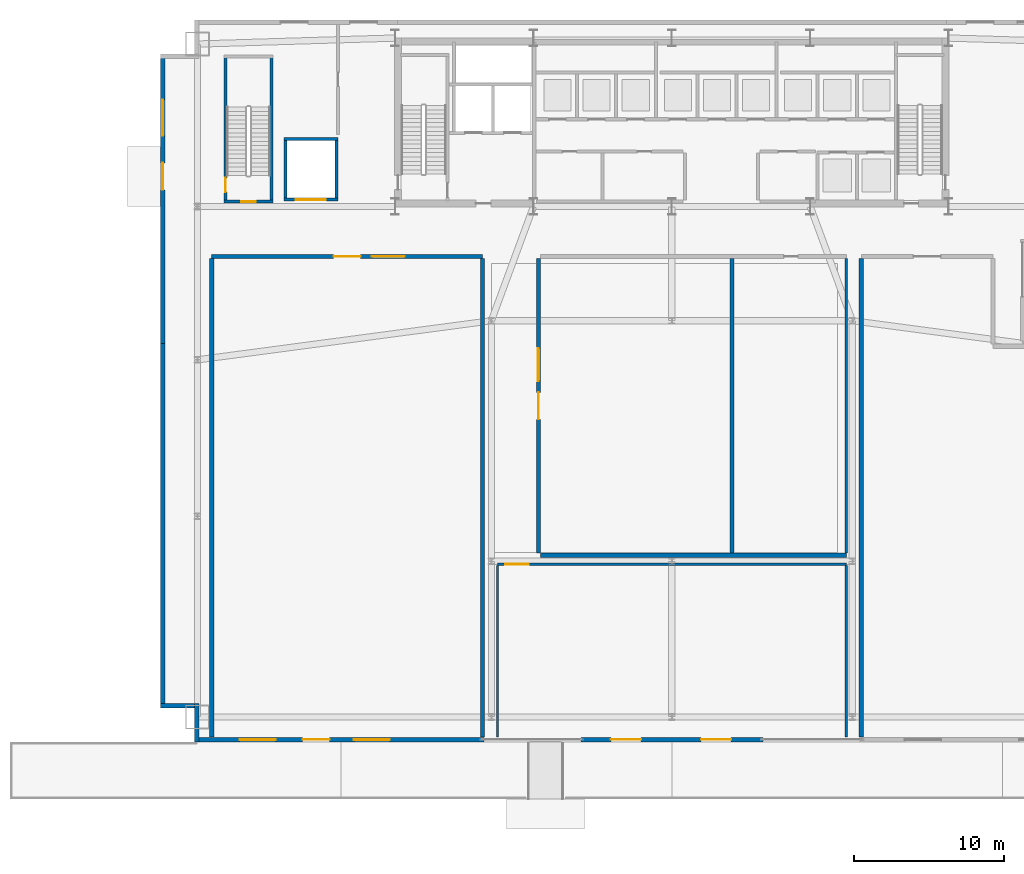
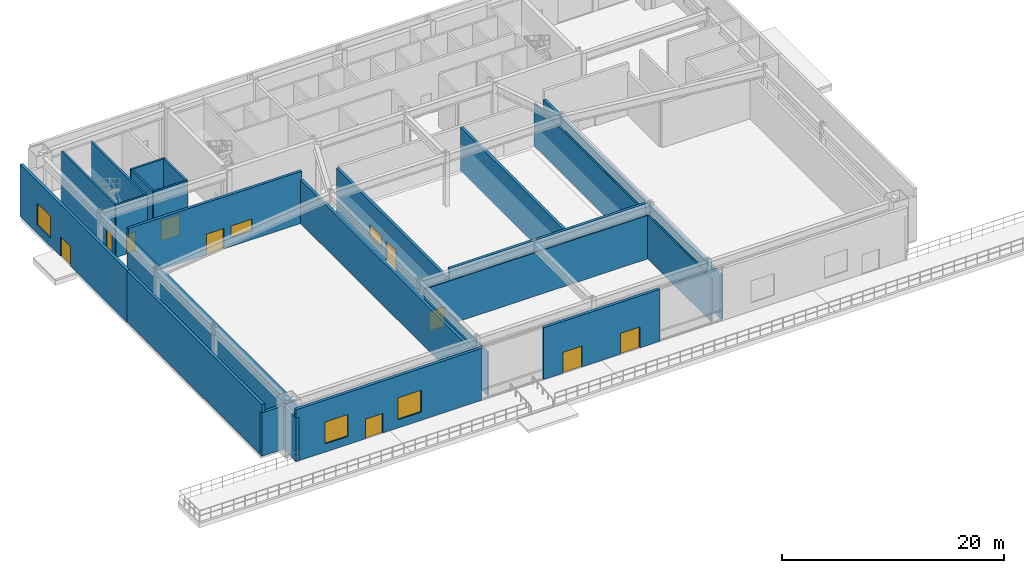
# One storey, part 9 of 17: 24 walls, 10 doors, 5 windows, 15 openings.
"""IFC4 building model written with IfcOpenShell, lengths in metres."""

from ifc_helpers import new_model, si_unit, direction, frame, frame_2d, origin, place, context, subcontext, project, spatial, rectangle, extrude, source, transform, mapped, material, layer, layer_set, type_object, type_shapes, element, fill, save


model = new_model("IFC4")

# Units and contexts
model_context = context("Model", 3, precision=1e-05, world=origin(), true_north=direction((0.0, 1.0)))
body_context = subcontext(model_context, "Body", "Model", "MODEL_VIEW")
ifc_project = project(units=[si_unit("LENGTHUNIT", "METRE"), si_unit("AREAUNIT", "SQUARE_METRE"), si_unit("VOLUMEUNIT", "CUBIC_METRE"), si_unit("PLANEANGLEUNIT", "RADIAN"), si_unit("MASSUNIT", "GRAM", prefix="KILO")], contexts=[model_context])

# Site, building, storey
site_placement = place(None, origin())
site = spatial("IfcSite", under=ifc_project, at=site_placement, CompositionType="ELEMENT")
building_placement = place(site_placement, origin())
building = spatial("IfcBuilding", under=site, at=building_placement, Name="Varnel Quay Broadcast Tower", CompositionType="ELEMENT")
storey_placement = place(building_placement, origin())
storey = spatial("IfcBuildingStorey", under=building, at=storey_placement, Name="L00", CompositionType="ELEMENT", Elevation=0.0)

# Wall, opening, door
ifc_material_1 = material(Name="Concrete CSA A23.3 C50/60", Category="concrete")
ifc_layer_1 = layer(ifc_material_1, 0.199951171875, Name="Concrete CSA A23.3 C50/60")
ifc_layer_set_1 = layer_set([ifc_layer_1], Name="Concrete CSA A23.3 C50/60")
wall_type_1 = type_object("IfcWallType", Name="Wall_CoreShaftShear200", PredefinedType="SHEAR", material=ifc_layer_set_1)
wall_1_placement = place(storey_placement, frame((4.320068359375, 36.0, 0.0), z_axis=(0.0, 0.0, 1.0), x_axis=(0.0, 1.0, 0.0)))
wall_1 = element("IfcWall", 1, at=wall_1_placement, inside=storey, type_object=wall_type_1, Name="L00 Podium Stair 3 W Structural Wall", PredefinedType="SHEAR", context=body_context, shape_type="SweptSolid", body=[
    extrude(rectangle(XDim=9.60009765625, YDim=0.199951171875, at=frame_2d((4.800048828125, 0.0))), origin(), (0.0, 0.0, 1.0), 5.719970703125),
])
opening_1_placement = place(wall_1_placement, frame((0.550048828125, 0.0, 0.0)))
opening_1 = element("IfcOpeningElement", 2, at=opening_1_placement, cuts=wall_1, Name="Opening D-L00-S3X", PredefinedType="OPENING", context=body_context, shape_type="SweptSolid", body=[
    extrude(rectangle(XDim=0.949951171875, YDim=2.10009765625, at=frame_2d((0.47509765625, 1.050048828125))), frame((0.0, 0.10986328125, 0.0), z_axis=(0.0, -1.0, 0.0), x_axis=(1.0, 0.0, 0.0)), (0.0, 0.0, 1.0), 0.219970703125),
])
ifc_material_2 = material(Name="Insulated Fire-Rated Hollow Steel Door", Category="steel")
door_type_1 = type_object("IfcDoorType", Name="Door_FireStair950", OperationType="NOTDEFINED", PredefinedType="DOOR", material=ifc_material_2)
shared_shape_1 = source(origin(), body_context, "Body", "SweptSolid", [
    extrude(rectangle(XDim=0.949951171875, YDim=2.10009765625, at=frame_2d((0.47509765625, 1.050048828125))), frame((0.0, 0.02490234375, 0.0), z_axis=(0.0, -1.0, 0.0), x_axis=(1.0, 0.0, 0.0)), (0.0, 0.0, 1.0), 0.050048828125),
])
type_shapes(door_type_1, [shared_shape_1])
door_1_placement = place(opening_1_placement, origin())
door_1 = element("IfcDoor", 3, at=door_1_placement, inside=storey, type_object=door_type_1, Name="L00 Stair 3 Protected Exit Passage Discharge Door", OperationType="SINGLE_SWING_LEFT", OverallHeight=2.10009765625, OverallWidth=0.949951171875, PredefinedType="DOOR", context=body_context, shape_type="MappedRepresentation", body=[
    mapped(shared_shape_1, transform((0.0, 0.0, 0.0), x_axis=(1.0, 0.0, 0.0), y_axis=(0.0, 1.0, 0.0), z_axis=(0.0, 0.0, 1.0), scale=1.0)),
])
fill(opening_1, door_1)

# Wall
wall_2_placement = place(storey_placement, frame((7.3798828125, 36.0, 0.0), z_axis=(0.0, 0.0, 1.0), x_axis=(0.0, 1.0, 0.0)))
element("IfcWall", 4, at=wall_2_placement, inside=storey, type_object=wall_type_1, Name="L00 Podium Stair 3 E Structural Wall", PredefinedType="SHEAR", context=body_context, shape_type="SweptSolid", body=[
    extrude(rectangle(XDim=9.60009765625, YDim=0.199951171875, at=frame_2d((4.800048828125, 0.0))), origin(), (0.0, 0.0, 1.0), 5.719970703125),
])

# Wall, opening, door
wall_3_placement = place(storey_placement, frame((4.219970703125, 35.919921875, 0.0), z_axis=(0.0, 0.0, 1.0), x_axis=(1.0, 0.0, 0.0)))
wall_3 = element("IfcWall", 5, at=wall_3_placement, inside=storey, type_object=wall_type_1, Name="L00 Podium Stair 3 South Structural Wall", PredefinedType="SHEAR", context=body_context, shape_type="SweptSolid", body=[
    extrude(rectangle(XDim=3.260009765625, YDim=0.199951171875, at=frame_2d((1.6298828125, 0.0))), origin(), (0.0, 0.0, 1.0), 5.719970703125),
])
opening_2_placement = place(wall_3_placement, frame((1.14990234375, 0.0, 0.0)))
opening_2 = element("IfcOpeningElement", 6, at=opening_2_placement, cuts=wall_3, Name="Opening D-L00-S3", PredefinedType="OPENING", context=body_context, shape_type="SweptSolid", body=[
    extrude(rectangle(XDim=0.949951171875, YDim=2.10009765625, at=frame_2d((0.47509765625, 1.050048828125))), frame((0.0, 0.10986328125, 0.0), z_axis=(0.0, -1.0, 0.0), x_axis=(1.0, 0.0, 0.0)), (0.0, 0.0, 1.0), 0.219970703125),
])
door_2_placement = place(opening_2_placement, origin())
door_2 = element("IfcDoor", 7, at=door_2_placement, inside=storey, type_object=door_type_1, Name="L00 Podium Stair 3 Fire Door", OperationType="SINGLE_SWING_RIGHT", OverallHeight=2.10009765625, OverallWidth=0.949951171875, PredefinedType="DOOR", context=body_context, shape_type="MappedRepresentation", body=[
    mapped(shared_shape_1, transform((0.0, 0.0, 0.0), x_axis=(1.0, 0.0, 0.0), y_axis=(0.0, 1.0, 0.0), z_axis=(0.0, 0.0, 1.0), scale=1.0)),
])
fill(opening_2, door_2)

# Walls
for number, where, z_axis, x_axis, name in (
    (8, (8.300048828125, 36.14990234375, 0.0), (0.0, 0.0, 1.0), (0.0, 1.0, 0.0), "L00 Freight Lift Shaft W Wall"),
    (9, (11.699951171875, 36.14990234375, 0.0), (0.0, 0.0, 1.0), (0.0, 1.0, 0.0), "L00 Freight Lift Shaft E Wall"),
):
    element("IfcWall", number, at=place(storey_placement, frame(where, z_axis=z_axis, x_axis=x_axis)), inside=storey, type_object=wall_type_1, Name=name, PredefinedType="SHEAR", context=body_context, shape_type="SweptSolid", body=[
        extrude(rectangle(XDim=3.85009765625, YDim=0.199951171875, at=frame_2d((1.925048828125, 0.0))), origin(), (0.0, 0.0, 1.0), 5.719970703125),
    ])
wall_4_placement = place(storey_placement, frame((8.199951171875, 40.10009765625, 0.0), z_axis=(0.0, 0.0, 1.0), x_axis=(1.0, 0.0, 0.0)))
element("IfcWall", 10, at=wall_4_placement, inside=storey, type_object=wall_type_1, Name="L00 Freight Lift Shaft N Wall", PredefinedType="SHEAR", context=body_context, shape_type="SweptSolid", body=[
    extrude(rectangle(XDim=3.60009765625, YDim=0.199951171875, at=frame_2d((1.800048828125, 0.0))), origin(), (0.0, 0.0, 1.0), 5.719970703125),
])

# Wall, opening, door
wall_5_placement = place(storey_placement, frame((8.199951171875, 36.050048828125, 0.0), z_axis=(0.0, 0.0, 1.0), x_axis=(1.0, 0.0, 0.0)))
wall_5 = element("IfcWall", 11, at=wall_5_placement, inside=storey, type_object=wall_type_1, Name="L00 Studio Freight Lift Front Wall", PredefinedType="SHEAR", context=body_context, shape_type="SweptSolid", body=[
    extrude(rectangle(XDim=3.60009765625, YDim=0.199951171875, at=frame_2d((1.800048828125, 0.0))), origin(), (0.0, 0.0, 1.0), 5.719970703125),
])
opening_3_placement = place(wall_5_placement, frame((0.800048828125, 0.0, 0.0)))
opening_3 = element("IfcOpeningElement", 12, at=opening_3_placement, cuts=wall_5, Name="Opening LD-L00-BF1", PredefinedType="OPENING", context=body_context, shape_type="SweptSolid", body=[
    extrude(rectangle(XDim=2.0, YDim=2.280029296875, at=frame_2d((1.0, 1.14013671875))), frame((0.0, 0.10986328125, 0.0), z_axis=(0.0, -1.0, 0.0), x_axis=(1.0, 0.0, 0.0)), (0.0, 0.0, 1.0), 0.219970703125),
])
ifc_material_3 = material(Name="Brushed Bronze-Stainless Lift Car & Sliding Doors", Category="steel")
door_type_2 = type_object("IfcDoorType", Name="Door_FreightLanding2000", OperationType="DOUBLE_DOOR_SLIDING", PredefinedType="DOOR", material=ifc_material_3)
shared_shape_2 = source(origin(), body_context, "Body", "SweptSolid", [
    extrude(rectangle(XDim=2.0, YDim=2.280029296875, at=frame_2d((1.0, 1.14013671875))), frame((0.0, 0.02490234375, 0.0), z_axis=(0.0, -1.0, 0.0), x_axis=(1.0, 0.0, 0.0)), (0.0, 0.0, 1.0), 0.050048828125),
])
type_shapes(door_type_2, [shared_shape_2])
door_3_placement = place(opening_3_placement, frame((2.0, 0.0, 0.0), z_axis=(0.0, 0.0, 1.0), x_axis=(-1.0, 0.0, 0.0)))
door_3 = element("IfcDoor", 13, at=door_3_placement, inside=storey, type_object=door_type_2, Name="L00 Freight Lift BF-01 Landing Door", OperationType="DOUBLE_DOOR_SLIDING", OverallHeight=2.280029296875, OverallWidth=2.0, PredefinedType="DOOR", context=body_context, shape_type="MappedRepresentation", body=[
    mapped(shared_shape_2, transform((0.0, 0.0, 0.0), x_axis=(1.0, 0.0, 0.0), y_axis=(0.0, 1.0, 0.0), z_axis=(0.0, 0.0, 1.0), scale=1.0)),
])
fill(opening_3, door_3)

# Wall, openings, doors
ifc_material_4 = material(Name="Precast Architectural Concrete C40/50", Category="concrete")
ifc_layer_2 = layer(ifc_material_4, 0.300048828125, Name="Precast Architectural Concrete C40/50")
ifc_layer_set_2 = layer_set([ifc_layer_2], Name="Precast Architectural Concrete C40/50")
wall_type_2 = type_object("IfcWallType", Name="Wall_ExtPodium300", PredefinedType="SOLIDWALL", material=ifc_layer_set_2)
wall_6_placement = place(storey_placement, frame((27.949951171875, 0.14990234375, 0.0), z_axis=(0.0, 0.0, 1.0), x_axis=(1.0, 0.0, 0.0)))
wall_6 = element("IfcWall", 14, at=wall_6_placement, inside=storey, type_object=wall_type_2, Name="L00 Waterfront Forum Entrance Wall", PredefinedType="SOLIDWALL", context=body_context, shape_type="SweptSolid", body=[
    extrude(rectangle(XDim=12.10009765625, YDim=0.300048828125, at=frame_2d((6.050048828125, 0.0))), origin(), (0.0, 0.0, 1.0), 5.699951171875),
])
opening_4_placement = place(wall_6_placement, frame((2.0, 0.0, 0.0)))
opening_4 = element("IfcOpeningElement", 15, at=opening_4_placement, cuts=wall_6, Name="Opening ED-01", PredefinedType="OPENING", context=body_context, shape_type="SweptSolid", body=[
    extrude(rectangle(XDim=2.0, YDim=2.300048828125, at=frame_2d((1.0, 1.14990234375))), frame((0.0, 0.16015625, 0.0), z_axis=(0.0, -1.0, 0.0), x_axis=(1.0, 0.0, 0.0)), (0.0, 0.0, 1.0), 0.320068359375),
])
opening_5_placement = place(wall_6_placement, frame((8.0, 0.0, 0.0)))
opening_5 = element("IfcOpeningElement", 16, at=opening_5_placement, cuts=wall_6, Name="Opening ED-02", PredefinedType="OPENING", context=body_context, shape_type="SweptSolid", body=[
    extrude(rectangle(XDim=2.0, YDim=2.300048828125, at=frame_2d((1.0, 1.14990234375))), frame((0.0, 0.16015625, 0.0), z_axis=(0.0, -1.0, 0.0), x_axis=(1.0, 0.0, 0.0)), (0.0, 0.0, 1.0), 0.320068359375),
])
ifc_material_5 = material(Name="Anodised Bronze Aluminium 6063-T6", Category="aluminium")
door_type_3 = type_object("IfcDoorType", Name="Door_ExtEntrance2000", OperationType="DOUBLE_DOOR_SINGLE_SWING", PredefinedType="DOOR", material=ifc_material_5)
shared_shape_3 = source(origin(), body_context, "Body", "SweptSolid", [
    extrude(rectangle(XDim=2.0, YDim=2.300048828125, at=frame_2d((1.0, 1.14990234375))), frame((0.0, 0.02490234375, 0.0), z_axis=(0.0, -1.0, 0.0), x_axis=(1.0, 0.0, 0.0)), (0.0, 0.0, 1.0), 0.050048828125),
])
type_shapes(door_type_3, [shared_shape_3])
door_4_placement = place(opening_4_placement, frame((2.0, 0.0, 0.0), z_axis=(0.0, 0.0, 1.0), x_axis=(-1.0, 0.0, 0.0)))
door_4 = element("IfcDoor", 17, at=door_4_placement, inside=storey, type_object=door_type_3, Name="L00 Waterfront Main Entrance ED-01", OperationType="DOUBLE_DOOR_SINGLE_SWING", OverallHeight=2.300048828125, OverallWidth=2.0, PredefinedType="DOOR", context=body_context, shape_type="MappedRepresentation", body=[
    mapped(shared_shape_3, transform((0.0, 0.0, 0.0), x_axis=(1.0, 0.0, 0.0), y_axis=(0.0, 1.0, 0.0), z_axis=(0.0, 0.0, 1.0), scale=1.0)),
])
fill(opening_4, door_4)
door_5_placement = place(opening_5_placement, frame((2.0, 0.0, 0.0), z_axis=(0.0, 0.0, 1.0), x_axis=(-1.0, 0.0, 0.0)))
door_5 = element("IfcDoor", 18, at=door_5_placement, inside=storey, type_object=door_type_3, Name="L00 Waterfront Main Entrance ED-02", OperationType="DOUBLE_DOOR_SINGLE_SWING", OverallHeight=2.300048828125, OverallWidth=2.0, PredefinedType="DOOR", context=body_context, shape_type="MappedRepresentation", body=[
    mapped(shared_shape_3, transform((0.0, 0.0, 0.0), x_axis=(1.0, 0.0, 0.0), y_axis=(0.0, 1.0, 0.0), z_axis=(0.0, 0.0, 1.0), scale=1.0)),
])
fill(opening_5, door_5)

# Wall, openings, door, windows
wall_7_placement = place(storey_placement, frame((2.25, 0.14990234375, 0.0), z_axis=(0.0, 0.0, 1.0), x_axis=(1.0, 0.0, 0.0)))
wall_7 = element("IfcWall", 19, at=wall_7_placement, inside=storey, type_object=wall_type_2, Name="L00 Podium Acoustic Exterior Wall SW", PredefinedType="SOLIDWALL", context=body_context, shape_type="SweptSolid", body=[
    extrude(rectangle(XDim=19.25, YDim=0.300048828125, at=frame_2d((9.625, 0.0))), origin(), (0.0, 0.0, 1.0), 5.699951171875),
])
opening_6_placement = place(wall_7_placement, frame((7.199951171875, 0.0, 0.0)))
opening_6 = element("IfcOpeningElement", 20, at=opening_6_placement, cuts=wall_7, Name="Opening ED-06", PredefinedType="OPENING", context=body_context, shape_type="SweptSolid", body=[
    extrude(rectangle(XDim=1.800048828125, YDim=2.14990234375, at=frame_2d((0.89990234375, 1.074951171875))), frame((0.0, 0.16015625, 0.0), z_axis=(0.0, -1.0, 0.0), x_axis=(1.0, 0.0, 0.0)), (0.0, 0.0, 1.0), 0.320068359375),
])
opening_7_placement = place(wall_7_placement, frame((3.0, 0.0, 0.89990234375)))
opening_7 = element("IfcOpeningElement", 21, at=opening_7_placement, cuts=wall_7, Name="Opening W-01", PredefinedType="OPENING", context=body_context, shape_type="SweptSolid", body=[
    extrude(rectangle(XDim=2.39990234375, YDim=2.39990234375, at=frame_2d((1.199951171875, 1.199951171875))), frame((0.0, 0.16015625, 0.0), z_axis=(0.0, -1.0, 0.0), x_axis=(1.0, 0.0, 0.0)), (0.0, 0.0, 1.0), 0.320068359375),
])
opening_8_placement = place(wall_7_placement, frame((10.60009765625, 0.0, 0.89990234375)))
opening_8 = element("IfcOpeningElement", 22, at=opening_8_placement, cuts=wall_7, Name="Opening W-01", PredefinedType="OPENING", context=body_context, shape_type="SweptSolid", body=[
    extrude(rectangle(XDim=2.39990234375, YDim=2.39990234375, at=frame_2d((1.199951171875, 1.199951171875))), frame((0.0, 0.16015625, 0.0), z_axis=(0.0, -1.0, 0.0), x_axis=(1.0, 0.0, 0.0)), (0.0, 0.0, 1.0), 0.320068359375),
])
door_type_4 = type_object("IfcDoorType", Name="Door_ExtExit1800", OperationType="DOUBLE_DOOR_SINGLE_SWING", PredefinedType="DOOR", material=ifc_material_5)
shared_shape_4 = source(origin(), body_context, "Body", "SweptSolid", [
    extrude(rectangle(XDim=1.800048828125, YDim=2.14990234375, at=frame_2d((0.89990234375, 1.074951171875))), frame((0.0, 0.02490234375, 0.0), z_axis=(0.0, -1.0, 0.0), x_axis=(1.0, 0.0, 0.0)), (0.0, 0.0, 1.0), 0.050048828125),
])
type_shapes(door_type_4, [shared_shape_4])
door_6_placement = place(opening_6_placement, frame((1.800048828125, 0.0, 0.0), z_axis=(0.0, 0.0, 1.0), x_axis=(-1.0, 0.0, 0.0)))
door_6 = element("IfcDoor", 23, at=door_6_placement, inside=storey, type_object=door_type_4, Name="L00 Studio A Promenade Entrance/Exit Door ED-06", OperationType="DOUBLE_DOOR_SINGLE_SWING", OverallHeight=2.14990234375, OverallWidth=1.800048828125, PredefinedType="DOOR", context=body_context, shape_type="MappedRepresentation", body=[
    mapped(shared_shape_4, transform((0.0, 0.0, 0.0), x_axis=(1.0, 0.0, 0.0), y_axis=(0.0, 1.0, 0.0), z_axis=(0.0, 0.0, 1.0), scale=1.0)),
])
fill(opening_6, door_6)
ifc_material_6 = material(Name="Triple-Glazed Bronze Low-E Architectural Glass", Category="glass")
window_type_1 = type_object("IfcWindowType", Name="Win_PodiumAcoustic2400", PartitioningType="DOUBLE_PANEL_VERTICAL", PredefinedType="WINDOW", material=ifc_material_6)
shared_shape_5 = source(origin(), body_context, "Body", "SweptSolid", [
    extrude(rectangle(XDim=2.39990234375, YDim=2.39990234375, at=frame_2d((1.199951171875, 1.199951171875))), frame((0.0, 0.030029296875, 0.0), z_axis=(0.0, -1.0, 0.0), x_axis=(1.0, 0.0, 0.0)), (0.0, 0.0, 1.0), 0.06005859375),
])
type_shapes(window_type_1, [shared_shape_5])
window_1_placement = place(opening_7_placement, origin())
window_1 = element("IfcWindow", 24, at=window_1_placement, inside=storey, type_object=window_type_1, Name="L00 Podium Window SW-1", OverallHeight=2.39990234375, OverallWidth=2.39990234375, PartitioningType="DOUBLE_PANEL_VERTICAL", PredefinedType="WINDOW", context=body_context, shape_type="MappedRepresentation", body=[
    mapped(shared_shape_5, transform((0.0, 0.0, 0.0), x_axis=(1.0, 0.0, 0.0), y_axis=(0.0, 1.0, 0.0), z_axis=(0.0, 0.0, 1.0), scale=1.0)),
])
fill(opening_7, window_1)
window_2_placement = place(opening_8_placement, origin())
window_2 = element("IfcWindow", 25, at=window_2_placement, inside=storey, type_object=window_type_1, Name="L00 Podium Window SW-2", OverallHeight=2.39990234375, OverallWidth=2.39990234375, PartitioningType="DOUBLE_PANEL_VERTICAL", PredefinedType="WINDOW", context=body_context, shape_type="MappedRepresentation", body=[
    mapped(shared_shape_5, transform((0.0, 0.0, 0.0), x_axis=(1.0, 0.0, 0.0), y_axis=(0.0, 1.0, 0.0), z_axis=(0.0, 0.0, 1.0), scale=1.0)),
])
fill(opening_8, window_2)

# Wall
wall_8_placement = place(storey_placement, frame((0.14990234375, 2.25, 0.0), z_axis=(0.0, 0.0, 1.0), x_axis=(0.0, 1.0, 0.0)))
element("IfcWall", 26, at=wall_8_placement, inside=storey, type_object=wall_type_2, Name="L00 Podium Acoustic Exterior Wall W1", PredefinedType="SOLIDWALL", context=body_context, shape_type="SweptSolid", body=[
    extrude(rectangle(XDim=24.35009765625, YDim=0.300048828125, at=frame_2d((12.175048828125, 0.0))), origin(), (0.0, 0.0, 1.0), 5.699951171875),
])

# Wall, openings, door, window
wall_9_placement = place(storey_placement, frame((0.14990234375, 26.5, 0.0), z_axis=(0.0, 0.0, 1.0), x_axis=(0.0, 1.0, 0.0)))
wall_9 = element("IfcWall", 27, at=wall_9_placement, inside=storey, type_object=wall_type_2, Name="L00 Podium Acoustic Exterior Wall W2", PredefinedType="SOLIDWALL", context=body_context, shape_type="SweptSolid", body=[
    extrude(rectangle(XDim=19.25, YDim=0.300048828125, at=frame_2d((9.625, 0.0))), origin(), (0.0, 0.0, 1.0), 5.699951171875),
])
opening_9_placement = place(wall_9_placement, frame((10.199951171875, 0.0, 0.0)))
opening_9 = element("IfcOpeningElement", 28, at=opening_9_placement, cuts=wall_9, Name="Opening ED-08", PredefinedType="OPENING", context=body_context, shape_type="SweptSolid", body=[
    extrude(rectangle(XDim=1.800048828125, YDim=2.14990234375, at=frame_2d((0.89990234375, 1.074951171875))), frame((0.0, 0.16015625, 0.0), z_axis=(0.0, -1.0, 0.0), x_axis=(1.0, 0.0, 0.0)), (0.0, 0.0, 1.0), 0.320068359375),
])
opening_10_placement = place(wall_9_placement, frame((13.800048828125, 0.0, 0.89990234375)))
opening_10 = element("IfcOpeningElement", 29, at=opening_10_placement, cuts=wall_9, Name="Opening W-01", PredefinedType="OPENING", context=body_context, shape_type="SweptSolid", body=[
    extrude(rectangle(XDim=2.39990234375, YDim=2.39990234375, at=frame_2d((1.199951171875, 1.199951171875))), frame((0.0, 0.16015625, 0.0), z_axis=(0.0, -1.0, 0.0), x_axis=(1.0, 0.0, 0.0)), (0.0, 0.0, 1.0), 0.320068359375),
])
door_7_placement = place(opening_9_placement, frame((1.800048828125, 0.0, 0.0), z_axis=(0.0, 0.0, 1.0), x_axis=(-1.0, 0.0, 0.0)))
door_7 = element("IfcDoor", 30, at=door_7_placement, inside=storey, type_object=door_type_4, Name="L00 West Stair 3 Street Exit Discharge Door ED-08", OperationType="DOUBLE_DOOR_SINGLE_SWING", OverallHeight=2.14990234375, OverallWidth=1.800048828125, PredefinedType="DOOR", context=body_context, shape_type="MappedRepresentation", body=[
    mapped(shared_shape_4, transform((0.0, 0.0, 0.0), x_axis=(1.0, 0.0, 0.0), y_axis=(0.0, 1.0, 0.0), z_axis=(0.0, 0.0, 1.0), scale=1.0)),
])
fill(opening_9, door_7)
window_3_placement = place(opening_10_placement, origin())
window_3 = element("IfcWindow", 31, at=window_3_placement, inside=storey, type_object=window_type_1, Name="L00 Podium Window W2-1", OverallHeight=2.39990234375, OverallWidth=2.39990234375, PartitioningType="DOUBLE_PANEL_VERTICAL", PredefinedType="WINDOW", context=body_context, shape_type="MappedRepresentation", body=[
    mapped(shared_shape_5, transform((0.0, 0.0, 0.0), x_axis=(1.0, 0.0, 0.0), y_axis=(0.0, 1.0, 0.0), z_axis=(0.0, 0.0, 1.0), scale=1.0)),
])
fill(opening_10, window_3)

# Walls
for number, where, z_axis, x_axis, name in (
    (32, (2.39990234375, 0.0, 0.0), (0.0, 0.0, 1.0), (0.0, 1.0, 0.0), "L00 Podium Acoustic Exterior Wall NSW1"),
    (33, (0.0, 2.39990234375, 0.0), (0.0, 0.0, 1.0), (1.0, 0.0, 0.0), "L00 Podium Acoustic Exterior Wall NSW2"),
):
    element("IfcWall", number, at=place(storey_placement, frame(where, z_axis=z_axis, x_axis=x_axis)), inside=storey, type_object=wall_type_2, Name=name, PredefinedType="SOLIDWALL", context=body_context, shape_type="SweptSolid", body=[
        extrude(rectangle(XDim=2.550048828125, YDim=0.300048828125, at=frame_2d((1.27490234375, 0.0))), origin(), (0.0, 0.0, 1.0), 4.782958984375),
    ])
ifc_material_7 = material(Name="Steel-Stud Fire-Rated Acoustic Gypsum Partition Assembly", Category="steel")
ifc_layer_3 = layer(ifc_material_7, 0.14990234375, Name="Steel-Stud Fire-Rated Acoustic Gypsum Partition Assembly")
ifc_layer_set_3 = layer_set([ifc_layer_3], Name="Steel-Stud Fire-Rated Acoustic Gypsum Partition Assembly")
wall_type_3 = type_object("IfcWallType", Name="Wall_Partition150", PredefinedType="PARTITIONING", material=ifc_layer_set_3)
wall_10_placement = place(storey_placement, frame((45.60009765625, 0.31005859375, 0.0), z_axis=(0.0, 0.0, 1.0), x_axis=(0.0, 1.0, 0.0)))
element("IfcWall", 34, at=wall_10_placement, inside=storey, type_object=wall_type_3, Name="L00 Waterfront Public Broadcast Forum & Entrance Hall Partition 9", PredefinedType="PARTITIONING", context=body_context, shape_type="SweptSolid", body=[
    extrude(rectangle(XDim=11.4150390625, YDim=0.14990234375, at=frame_2d((5.70751953125, 0.0))), origin(), (0.0, 0.0, 1.0), 4.782958984375),
])

# Wall, opening, door
wall_11_placement = place(storey_placement, frame((22.39990234375, 11.800048828125, 0.0), z_axis=(0.0, 0.0, 1.0), x_axis=(1.0, 0.0, 0.0)))
wall_11 = element("IfcWall", 35, at=wall_11_placement, inside=storey, type_object=wall_type_3, Name="L00 Waterfront Public Broadcast Forum & Entrance Hall Partition 10", PredefinedType="PARTITIONING", context=body_context, shape_type="SweptSolid", body=[
    extrude(rectangle(XDim=23.2001953125, YDim=0.14990234375, at=frame_2d((11.60009765625, 0.0))), origin(), (0.0, 0.0, 1.0), 4.782958984375),
])
opening_11_placement = place(wall_11_placement, frame((0.52490234375, 0.0, 0.0)))
opening_11 = element("IfcOpeningElement", 36, at=opening_11_placement, cuts=wall_11, Name="Opening D-L00-05", PredefinedType="OPENING", context=body_context, shape_type="SweptSolid", body=[
    extrude(rectangle(XDim=1.550048828125, YDim=2.1201171875, at=frame_2d((0.77490234375, 1.06005859375))), frame((0.0, 0.0849609375, 0.0), z_axis=(0.0, -1.0, 0.0), x_axis=(1.0, 0.0, 0.0)), (0.0, 0.0, 1.0), 0.169921875),
])
ifc_material_8 = material(Name="Solid-Core Fire-Rated Acoustic Oak Veneer Door", Category="wood")
door_type_5 = type_object("IfcDoorType", Name="Door_Lobby1550", OperationType="DOUBLE_DOOR_SINGLE_SWING", PredefinedType="DOOR", material=ifc_material_8)
shared_shape_6 = source(origin(), body_context, "Body", "SweptSolid", [
    extrude(rectangle(XDim=1.550048828125, YDim=2.1201171875, at=frame_2d((0.77490234375, 1.06005859375))), frame((0.0, 0.02490234375, 0.0), z_axis=(0.0, -1.0, 0.0), x_axis=(1.0, 0.0, 0.0)), (0.0, 0.0, 1.0), 0.050048828125),
])
type_shapes(door_type_5, [shared_shape_6])
door_8_placement = place(opening_11_placement, frame((1.550048828125, 0.0, 0.0), z_axis=(0.0, 0.0, 1.0), x_axis=(-1.0, 0.0, 0.0)))
door_8 = element("IfcDoor", 37, at=door_8_placement, inside=storey, type_object=door_type_5, Name="L00 Waterfront Public Broadcast Forum & Entrance Hall Door D-L00-05", OperationType="DOUBLE_DOOR_SINGLE_SWING", OverallHeight=2.1201171875, OverallWidth=1.550048828125, PredefinedType="DOOR", context=body_context, shape_type="MappedRepresentation", body=[
    mapped(shared_shape_6, transform((0.0, 0.0, 0.0), x_axis=(1.0, 0.0, 0.0), y_axis=(0.0, 1.0, 0.0), z_axis=(0.0, 0.0, 1.0), scale=1.0)),
])
fill(opening_11, door_8)

# Walls
wall_12_placement = place(storey_placement, frame((22.39990234375, 0.31005859375, 0.0), z_axis=(0.0, 0.0, 1.0), x_axis=(0.0, 1.0, 0.0)))
element("IfcWall", 38, at=wall_12_placement, inside=storey, type_object=wall_type_3, Name="L00 Waterfront Public Broadcast Forum & Entrance Hall Partition 11", PredefinedType="PARTITIONING", context=body_context, shape_type="SweptSolid", body=[
    extrude(rectangle(XDim=11.4150390625, YDim=0.14990234375, at=frame_2d((5.70751953125, 0.0))), origin(), (0.0, 0.0, 1.0), 4.782958984375),
])
wall_13_placement = place(storey_placement, frame((45.60009765625, 12.5400390625, 0.0), z_axis=(0.0, 0.0, 1.0), x_axis=(0.0, 1.0, 0.0)))
element("IfcWall", 39, at=wall_13_placement, inside=storey, type_object=wall_type_3, Name="L00 Quay Promenade Broadcast Cafe Partition 24", PredefinedType="PARTITIONING", context=body_context, shape_type="SweptSolid", body=[
    extrude(rectangle(XDim=19.594970703125, YDim=0.14990234375, at=frame_2d((9.79736328125, 0.0))), origin(), (0.0, 0.0, 1.0), 4.782958984375),
])
ifc_material_9 = material(Name="Double-Leaf Isolated Acoustic Studio Wall Concrete C40/50", Category="concrete")
ifc_layer_4 = layer(ifc_material_9, 0.280029296875, Name="Double-Leaf Isolated Acoustic Studio Wall Concrete C40/50")
ifc_layer_set_4 = layer_set([ifc_layer_4], Name="Double-Leaf Isolated Acoustic Studio Wall Concrete C40/50")
wall_type_4 = type_object("IfcWallType", Name="Wall_StudioAcoustic280", PredefinedType="SOLIDWALL", material=ifc_layer_set_4)
wall_14_placement = place(storey_placement, frame((21.39990234375, 0.31005859375, 0.0), z_axis=(0.0, 0.0, 1.0), x_axis=(0.0, 1.0, 0.0)))
element("IfcWall", 40, at=wall_14_placement, inside=storey, type_object=wall_type_4, Name="L00 Television Production Studio A Stage Partition 12", PredefinedType="SOLIDWALL", context=body_context, shape_type="SweptSolid", body=[
    extrude(rectangle(XDim=31.824951171875, YDim=0.280029296875, at=frame_2d((15.91259765625, 0.0))), origin(), (0.0, 0.0, 1.0), 4.782958984375),
])

# Wall, openings, door, window
wall_15_placement = place(storey_placement, frame((3.39990234375, 32.27490234375, 0.0), z_axis=(0.0, 0.0, 1.0), x_axis=(1.0, 0.0, 0.0)))
wall_15 = element("IfcWall", 41, at=wall_15_placement, inside=storey, type_object=wall_type_4, Name="L00 Television Production Studio A Stage Partition 13", PredefinedType="SOLIDWALL", context=body_context, shape_type="SweptSolid", body=[
    extrude(rectangle(XDim=18.0, YDim=0.280029296875, at=frame_2d((9.0, 0.0))), origin(), (0.0, 0.0, 1.0), 5.699951171875),
])
opening_12_placement = place(wall_15_placement, frame((8.10009765625, 0.0, 0.0)))
opening_12 = element("IfcOpeningElement", 42, at=opening_12_placement, cuts=wall_15, Name="Opening D-L00-06", PredefinedType="OPENING", context=body_context, shape_type="SweptSolid", body=[
    extrude(rectangle(XDim=1.800048828125, YDim=2.25, at=frame_2d((0.89990234375, 1.125))), frame((0.0, 0.14990234375, 0.0), z_axis=(0.0, -1.0, 0.0), x_axis=(1.0, 0.0, 0.0)), (0.0, 0.0, 1.0), 0.300048828125),
])
opening_13_placement = place(wall_15_placement, frame((10.64990234375, 0.0, 0.949951171875)))
opening_13 = element("IfcOpeningElement", 43, at=opening_13_placement, cuts=wall_15, Name="Opening W-INT01", PredefinedType="OPENING", context=body_context, shape_type="SweptSolid", body=[
    extrude(rectangle(XDim=2.199951171875, YDim=1.300048828125, at=frame_2d((1.10009765625, 0.64990234375))), frame((0.0, 0.14990234375, 0.0), z_axis=(0.0, -1.0, 0.0), x_axis=(1.0, 0.0, 0.0)), (0.0, 0.0, 1.0), 0.300048828125),
])
door_type_6 = type_object("IfcDoorType", Name="Door_StudioSound1800", OperationType="DOUBLE_DOOR_SINGLE_SWING", PredefinedType="DOOR", material=ifc_material_2)
shared_shape_7 = source(origin(), body_context, "Body", "SweptSolid", [
    extrude(rectangle(XDim=1.800048828125, YDim=2.25, at=frame_2d((0.89990234375, 1.125))), frame((0.0, 0.02490234375, 0.0), z_axis=(0.0, -1.0, 0.0), x_axis=(1.0, 0.0, 0.0)), (0.0, 0.0, 1.0), 0.050048828125),
])
type_shapes(door_type_6, [shared_shape_7])
door_9_placement = place(opening_12_placement, frame((1.800048828125, 0.0, 0.0), z_axis=(0.0, 0.0, 1.0), x_axis=(-1.0, 0.0, 0.0)))
door_9 = element("IfcDoor", 44, at=door_9_placement, inside=storey, type_object=door_type_6, Name="L00 Television Production Studio A Stage Door D-L00-06", OperationType="DOUBLE_DOOR_SINGLE_SWING", OverallHeight=2.25, OverallWidth=1.800048828125, PredefinedType="DOOR", context=body_context, shape_type="MappedRepresentation", body=[
    mapped(shared_shape_7, transform((0.0, 0.0, 0.0), x_axis=(1.0, 0.0, 0.0), y_axis=(0.0, 1.0, 0.0), z_axis=(0.0, 0.0, 1.0), scale=1.0)),
])
fill(opening_12, door_9)
ifc_material_10 = material(Name="Acoustic Laminated Control Glass", Category="glass")
window_type_2 = type_object("IfcWindowType", Name="Win_IntControlGallery", PartitioningType="SINGLE_PANEL", PredefinedType="WINDOW", material=ifc_material_10)
shared_shape_8 = source(origin(), body_context, "Body", "SweptSolid", [
    extrude(rectangle(XDim=2.199951171875, YDim=1.300048828125, at=frame_2d((1.10009765625, 0.64990234375))), frame((0.0, 0.030029296875, 0.0), z_axis=(0.0, -1.0, 0.0), x_axis=(1.0, 0.0, 0.0)), (0.0, 0.0, 1.0), 0.06005859375),
])
type_shapes(window_type_2, [shared_shape_8])
window_4_placement = place(opening_13_placement, origin())
window_4 = element("IfcWindow", 45, at=window_4_placement, inside=storey, type_object=window_type_2, Name="L00 Studio Control Observation Window 6", OverallHeight=1.300048828125, OverallWidth=2.199951171875, PartitioningType="SINGLE_PANEL", PredefinedType="WINDOW", context=body_context, shape_type="MappedRepresentation", body=[
    mapped(shared_shape_8, transform((0.0, 0.0, 0.0), x_axis=(1.0, 0.0, 0.0), y_axis=(0.0, 1.0, 0.0), z_axis=(0.0, 0.0, 1.0), scale=1.0)),
])
fill(opening_13, window_4)

# Walls
for number, where, z_axis, x_axis, name in (
    (46, (3.39990234375, 0.31005859375, 0.0), (0.0, 0.0, 1.0), (0.0, 1.0, 0.0), "L00 Television Production Studio A Stage Partition 14"),
    (47, (46.60009765625, 0.31005859375, 0.0), (0.0, 0.0, 1.0), (0.0, 1.0, 0.0), "L00 Television Production Studio B Stage Partition 19"),
):
    element("IfcWall", number, at=place(storey_placement, frame(where, z_axis=z_axis, x_axis=x_axis)), inside=storey, type_object=wall_type_4, Name=name, PredefinedType="SOLIDWALL", context=body_context, shape_type="SweptSolid", body=[
        extrude(rectangle(XDim=31.824951171875, YDim=0.280029296875, at=frame_2d((15.91259765625, 0.0))), origin(), (0.0, 0.0, 1.0), 4.782958984375),
    ])
wall_16_placement = place(storey_placement, frame((25.25, 12.39990234375, 0.0), z_axis=(0.0, 0.0, 1.0), x_axis=(1.0, 0.0, 0.0)))
element("IfcWall", 48, at=wall_16_placement, inside=storey, type_object=wall_type_4, Name="L00 Live Harbour News Studio C Partition 20", PredefinedType="SOLIDWALL", context=body_context, shape_type="SweptSolid", body=[
    extrude(rectangle(XDim=20.35009765625, YDim=0.280029296875, at=frame_2d((10.175048828125, 0.0))), origin(), (0.0, 0.0, 1.0), 5.699951171875),
])
wall_17_placement = place(storey_placement, frame((38.0, 12.5400390625, 0.0), z_axis=(0.0, 0.0, 1.0), x_axis=(0.0, 1.0, 0.0)))
element("IfcWall", 49, at=wall_17_placement, inside=storey, type_object=wall_type_4, Name="L00 Live Harbour News Studio C Partition 21", PredefinedType="SOLIDWALL", context=body_context, shape_type="SweptSolid", body=[
    extrude(rectangle(XDim=19.594970703125, YDim=0.280029296875, at=frame_2d((9.79736328125, 0.0))), origin(), (0.0, 0.0, 1.0), 4.782958984375),
])

# Wall, openings, door, window
wall_18_placement = place(storey_placement, frame((25.125, 12.5400390625, 0.0), z_axis=(0.0, 0.0, 1.0), x_axis=(0.0, 1.0, 0.0)))
wall_18 = element("IfcWall", 50, at=wall_18_placement, inside=storey, type_object=wall_type_4, Name="L00 Live Harbour News Studio C Partition 23", PredefinedType="SOLIDWALL", context=body_context, shape_type="SweptSolid", body=[
    extrude(rectangle(XDim=19.594970703125, YDim=0.280029296875, at=frame_2d((9.79736328125, 0.0))), origin(), (0.0, 0.0, 1.0), 4.782958984375),
])
opening_14_placement = place(wall_18_placement, frame((8.89697265625, 0.0, 0.0)))
opening_14 = element("IfcOpeningElement", 51, at=opening_14_placement, cuts=wall_18, Name="Opening D-L00-08", PredefinedType="OPENING", context=body_context, shape_type="SweptSolid", body=[
    extrude(rectangle(XDim=1.800048828125, YDim=2.25, at=frame_2d((0.89990234375, 1.125))), frame((0.0, 0.14990234375, 0.0), z_axis=(0.0, -1.0, 0.0), x_axis=(1.0, 0.0, 0.0)), (0.0, 0.0, 1.0), 0.300048828125),
])
opening_15_placement = place(wall_18_placement, frame((11.447021484375, 0.0, 0.949951171875)))
opening_15 = element("IfcOpeningElement", 52, at=opening_15_placement, cuts=wall_18, Name="Opening W-INT01", PredefinedType="OPENING", context=body_context, shape_type="SweptSolid", body=[
    extrude(rectangle(XDim=2.199951171875, YDim=1.300048828125, at=frame_2d((1.10009765625, 0.64990234375))), frame((0.0, 0.14990234375, 0.0), z_axis=(0.0, -1.0, 0.0), x_axis=(1.0, 0.0, 0.0)), (0.0, 0.0, 1.0), 0.300048828125),
])
door_10_placement = place(opening_14_placement, frame((1.800048828125, 0.0, 0.0), z_axis=(0.0, 0.0, 1.0), x_axis=(-1.0, 0.0, 0.0)))
door_10 = element("IfcDoor", 53, at=door_10_placement, inside=storey, type_object=door_type_6, Name="L00 Live Harbour News Studio C Door D-L00-08", OperationType="DOUBLE_DOOR_SINGLE_SWING", OverallHeight=2.25, OverallWidth=1.800048828125, PredefinedType="DOOR", context=body_context, shape_type="MappedRepresentation", body=[
    mapped(shared_shape_7, transform((0.0, 0.0, 0.0), x_axis=(1.0, 0.0, 0.0), y_axis=(0.0, 1.0, 0.0), z_axis=(0.0, 0.0, 1.0), scale=1.0)),
])
fill(opening_14, door_10)
window_5_placement = place(opening_15_placement, origin())
window_5 = element("IfcWindow", 54, at=window_5_placement, inside=storey, type_object=window_type_2, Name="L00 Studio Control Observation Window 8", OverallHeight=1.300048828125, OverallWidth=2.199951171875, PartitioningType="SINGLE_PANEL", PredefinedType="WINDOW", context=body_context, shape_type="MappedRepresentation", body=[
    mapped(shared_shape_8, transform((0.0, 0.0, 0.0), x_axis=(1.0, 0.0, 0.0), y_axis=(0.0, 1.0, 0.0), z_axis=(0.0, 0.0, 1.0), scale=1.0)),
])
fill(opening_15, window_5)

save(model, "model.ifc")
